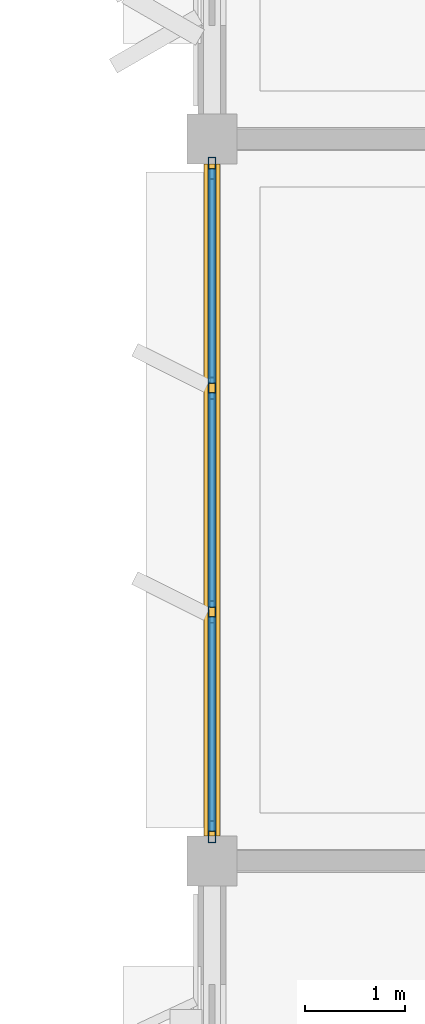
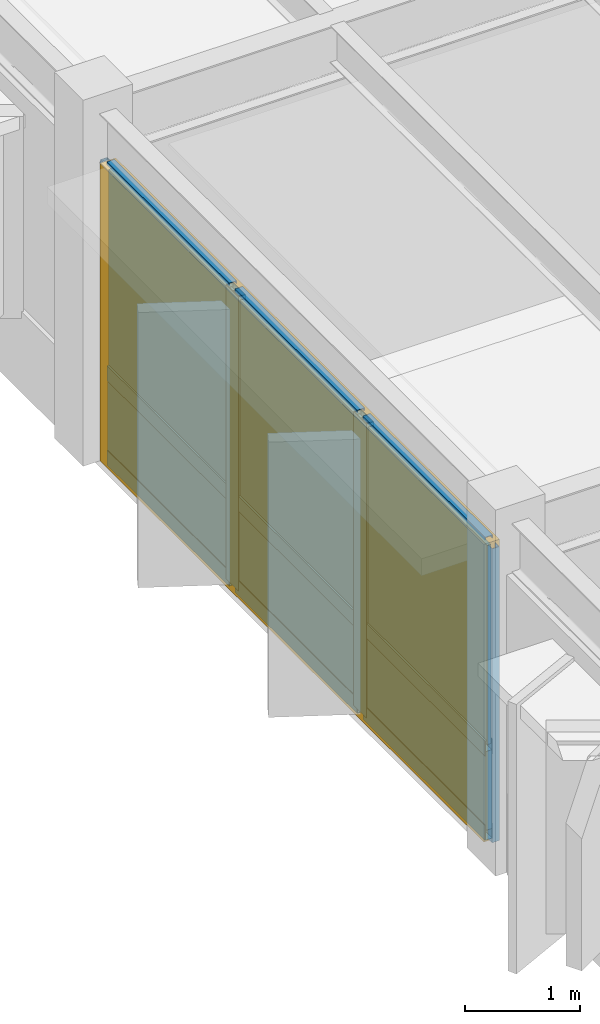
# One storey, part 22 of 35: 13 members, 6 plates, 1 curtain wall.
"""IFC4 building model written with IfcOpenShell, lengths in metres."""

from ifc_helpers import new_model, si_unit, direction, frame, origin, origin_2d, place, context, subcontext, project, spatial, rectangle, hollow_rectangle, extrude, material, layer, layer_set, material_profile, profile_set, type_object, element, aggregate, save


model = new_model("IFC4")

# Units and contexts
model_context = context("Model", 3, precision=1e-05, world=origin(), true_north=direction((0.0, 1.0)))
body_context = subcontext(model_context, "Body", "Model", "MODEL_VIEW")
ifc_project = project(units=[si_unit("LENGTHUNIT", "METRE"), si_unit("AREAUNIT", "SQUARE_METRE"), si_unit("VOLUMEUNIT", "CUBIC_METRE"), si_unit("PLANEANGLEUNIT", "RADIAN"), si_unit("MASSUNIT", "GRAM", prefix="KILO")], contexts=[model_context])

# Member
ifc_material_1 = material(Name="Anodized Aluminium 6063-T6", Category="aluminium")
ifc_material_profile_1 = material_profile(ifc_material_1, hollow_rectangle(XDim=0.074951171875, YDim=0.219970703125, WallThickness=0.0048828125, at=origin_2d()), Name="ALU 75x220x5")
ifc_profile_set_1 = profile_set([ifc_material_profile_1], Name="Anodized Aluminium 6063-T6")
member_type_1 = type_object("IfcMemberType", Name="CWM-75X180", PredefinedType="MULLION", material=ifc_profile_set_1)
site_placement = place(None, origin())
building_placement = place(site_placement, origin())
storey_placement = place(building_placement, frame((0.0, 0.0, 18.0)))
member_1_placement = place(storey_placement, frame((43.199951171875, 101.090087890625, 0.02001953125), z_axis=(0.0, 0.0, 1.0), x_axis=(1.0, 0.0, 0.0)))
member_1 = element("IfcMember", 1, at=member_1_placement, type_object=member_type_1, Name="Curtain wall mullion CW-L05-06-14-W-00", PredefinedType="MULLION", context=body_context, shape_type="SweptSolid", body=[
    extrude(hollow_rectangle(XDim=0.074951171875, YDim=0.219970703125, WallThickness=0.0048828125, at=origin_2d()), origin(), (0.0, 0.0, 1.0), 3.132080078125),
])

member_2_placement = place(storey_placement, frame((43.199951171875, 103.283203125, 0.02001953125), z_axis=(0.0, 0.0, 1.0), x_axis=(1.0, 0.0, 0.0)))
member_2 = element("IfcMember", 2, at=member_2_placement, type_object=member_type_1, Name="Curtain wall mullion CW-L05-06-14-W-01", PredefinedType="MULLION", context=body_context, shape_type="SweptSolid", body=[
    extrude(hollow_rectangle(XDim=0.074951171875, YDim=0.219970703125, WallThickness=0.0048828125, at=origin_2d()), origin(), (0.0, 0.0, 1.0), 3.132080078125),
])

member_3_placement = place(storey_placement, frame((43.199951171875, 105.5166015625, 0.02001953125), z_axis=(0.0, 0.0, 1.0), x_axis=(1.0, 0.0, 0.0)))
member_3 = element("IfcMember", 3, at=member_3_placement, type_object=member_type_1, Name="Curtain wall mullion CW-L05-06-14-W-02", PredefinedType="MULLION", context=body_context, shape_type="SweptSolid", body=[
    extrude(hollow_rectangle(XDim=0.074951171875, YDim=0.219970703125, WallThickness=0.0048828125, at=origin_2d()), origin(), (0.0, 0.0, 1.0), 3.132080078125),
])

member_4_placement = place(storey_placement, frame((43.199951171875, 107.7099609375, 0.02001953125), z_axis=(0.0, 0.0, 1.0), x_axis=(1.0, 0.0, 0.0)))
member_4 = element("IfcMember", 4, at=member_4_placement, type_object=member_type_1, Name="Curtain wall mullion CW-L05-06-14-W-03", PredefinedType="MULLION", context=body_context, shape_type="SweptSolid", body=[
    extrude(hollow_rectangle(XDim=0.074951171875, YDim=0.219970703125, WallThickness=0.0048828125, at=origin_2d()), origin(), (0.0, 0.0, 1.0), 3.132080078125),
])

ifc_material_profile_2 = material_profile(ifc_material_1, hollow_rectangle(XDim=0.074951171875, YDim=0.159912109375, WallThickness=0.00390625, at=origin_2d()), Name="ALU 75x160x4")
ifc_profile_set_2 = profile_set([ifc_material_profile_2], Name="Anodized Aluminium 6063-T6")
member_type_2 = type_object("IfcMemberType", Name="CWT-75X150", PredefinedType="USERDEFINED", material=ifc_profile_set_2)
member_5_placement = place(storey_placement, frame((43.199951171875, 101.10009765625, 0.050048828125), z_axis=(0.0, 1.0, 0.0), x_axis=(-1.0, 0.0, 0.0)))
member_5 = element("IfcMember", 5, at=member_5_placement, type_object=member_type_2, Name="Curtain wall transom CW-L05-06-14-W-1.01", ObjectType="TRANSOM", PredefinedType="USERDEFINED", context=body_context, shape_type="SweptSolid", body=[
    extrude(hollow_rectangle(XDim=0.074951171875, YDim=0.159912109375, WallThickness=0.00390625, at=origin_2d()), origin(), (0.0, 0.0, 1.0), 2.13330078125),
])

member_6_placement = place(storey_placement, frame((43.199951171875, 103.333251953125, 0.050048828125), z_axis=(0.0, 1.0, 0.0), x_axis=(-1.0, 0.0, 0.0)))
member_6 = element("IfcMember", 6, at=member_6_placement, type_object=member_type_2, Name="Curtain wall transom CW-L05-06-14-W-1.02", ObjectType="TRANSOM", PredefinedType="USERDEFINED", context=body_context, shape_type="SweptSolid", body=[
    extrude(hollow_rectangle(XDim=0.074951171875, YDim=0.159912109375, WallThickness=0.00390625, at=origin_2d()), origin(), (0.0, 0.0, 1.0), 2.133544921875),
])

member_7_placement = place(storey_placement, frame((43.199951171875, 105.566650390625, 0.050048828125), z_axis=(0.0, 1.0, 0.0), x_axis=(-1.0, 0.0, 0.0)))
member_7 = element("IfcMember", 7, at=member_7_placement, type_object=member_type_2, Name="Curtain wall transom CW-L05-06-14-W-1.03", ObjectType="TRANSOM", PredefinedType="USERDEFINED", context=body_context, shape_type="SweptSolid", body=[
    extrude(hollow_rectangle(XDim=0.074951171875, YDim=0.159912109375, WallThickness=0.00390625, at=origin_2d()), origin(), (0.0, 0.0, 1.0), 2.13330078125),
])

member_8_placement = place(storey_placement, frame((43.199951171875, 101.10009765625, 0.949951171875), z_axis=(0.0, 1.0, 0.0), x_axis=(-1.0, 0.0, 0.0)))
member_8 = element("IfcMember", 8, at=member_8_placement, type_object=member_type_2, Name="Curtain wall transom CW-L05-06-14-W-2.01", ObjectType="TRANSOM", PredefinedType="USERDEFINED", context=body_context, shape_type="SweptSolid", body=[
    extrude(hollow_rectangle(XDim=0.074951171875, YDim=0.159912109375, WallThickness=0.00390625, at=origin_2d()), origin(), (0.0, 0.0, 1.0), 2.13330078125),
])

member_9_placement = place(storey_placement, frame((43.199951171875, 103.333251953125, 0.949951171875), z_axis=(0.0, 1.0, 0.0), x_axis=(-1.0, 0.0, 0.0)))
member_9 = element("IfcMember", 9, at=member_9_placement, type_object=member_type_2, Name="Curtain wall transom CW-L05-06-14-W-2.02", ObjectType="TRANSOM", PredefinedType="USERDEFINED", context=body_context, shape_type="SweptSolid", body=[
    extrude(hollow_rectangle(XDim=0.074951171875, YDim=0.159912109375, WallThickness=0.00390625, at=origin_2d()), origin(), (0.0, 0.0, 1.0), 2.133544921875),
])

member_10_placement = place(storey_placement, frame((43.199951171875, 105.566650390625, 0.949951171875), z_axis=(0.0, 1.0, 0.0), x_axis=(-1.0, 0.0, 0.0)))
member_10 = element("IfcMember", 10, at=member_10_placement, type_object=member_type_2, Name="Curtain wall transom CW-L05-06-14-W-2.03", ObjectType="TRANSOM", PredefinedType="USERDEFINED", context=body_context, shape_type="SweptSolid", body=[
    extrude(hollow_rectangle(XDim=0.074951171875, YDim=0.159912109375, WallThickness=0.00390625, at=origin_2d()), origin(), (0.0, 0.0, 1.0), 2.13330078125),
])

member_11_placement = place(storey_placement, frame((43.199951171875, 101.10009765625, 3.1220703125), z_axis=(0.0, 1.0, 0.0), x_axis=(-1.0, 0.0, 0.0)))
member_11 = element("IfcMember", 11, at=member_11_placement, type_object=member_type_2, Name="Curtain wall transom CW-L05-06-14-W-3.01", ObjectType="TRANSOM", PredefinedType="USERDEFINED", context=body_context, shape_type="SweptSolid", body=[
    extrude(hollow_rectangle(XDim=0.074951171875, YDim=0.159912109375, WallThickness=0.00390625, at=origin_2d()), origin(), (0.0, 0.0, 1.0), 2.13330078125),
])

member_12_placement = place(storey_placement, frame((43.199951171875, 103.333251953125, 3.1220703125), z_axis=(0.0, 1.0, 0.0), x_axis=(-1.0, 0.0, 0.0)))
member_12 = element("IfcMember", 12, at=member_12_placement, type_object=member_type_2, Name="Curtain wall transom CW-L05-06-14-W-3.02", ObjectType="TRANSOM", PredefinedType="USERDEFINED", context=body_context, shape_type="SweptSolid", body=[
    extrude(hollow_rectangle(XDim=0.074951171875, YDim=0.159912109375, WallThickness=0.00390625, at=origin_2d()), origin(), (0.0, 0.0, 1.0), 2.133544921875),
])

member_13_placement = place(storey_placement, frame((43.199951171875, 105.566650390625, 3.1220703125), z_axis=(0.0, 1.0, 0.0), x_axis=(-1.0, 0.0, 0.0)))
member_13 = element("IfcMember", 13, at=member_13_placement, type_object=member_type_2, Name="Curtain wall transom CW-L05-06-14-W-3.03", ObjectType="TRANSOM", PredefinedType="USERDEFINED", context=body_context, shape_type="SweptSolid", body=[
    extrude(hollow_rectangle(XDim=0.074951171875, YDim=0.159912109375, WallThickness=0.00390625, at=origin_2d()), origin(), (0.0, 0.0, 1.0), 2.13330078125),
])

# Plate
ifc_material_2 = material(Name="Acoustic Laminated Low-E Glazing", Category="glass")
ifc_layer_1 = layer(ifc_material_2, 0.0439453125)
ifc_layer_set_1 = layer_set([ifc_layer_1], Name="Acoustic Laminated Low-E Glazing")
plate_type_1 = type_object("IfcPlateType", Name="CWP-IGU-44", PredefinedType="CURTAIN_PANEL", material=ifc_layer_set_1)
plate_1_placement = place(storey_placement, frame((43.199951171875, 102.166748046875, 0.989990234375), z_axis=(0.0, 0.0, 1.0), x_axis=(0.0, 1.0, 0.0)))
plate_1 = element("IfcPlate", 14, at=plate_1_placement, type_object=plate_type_1, Name="Curtain wall vision glazing CW-L05-06-14-W-01", PredefinedType="CURTAIN_PANEL", context=body_context, shape_type="SweptSolid", body=[
    extrude(rectangle(XDim=2.143310546875, YDim=0.0400390625, at=origin_2d()), origin(), (0.0, 0.0, 1.0), 2.1220703125),
])

plate_2_placement = place(storey_placement, frame((43.199951171875, 104.39990234375, 0.989990234375), z_axis=(0.0, 0.0, 1.0), x_axis=(0.0, 1.0, 0.0)))
plate_2 = element("IfcPlate", 15, at=plate_2_placement, type_object=plate_type_1, Name="Curtain wall vision glazing CW-L05-06-14-W-02", PredefinedType="CURTAIN_PANEL", context=body_context, shape_type="SweptSolid", body=[
    extrude(rectangle(XDim=2.143310546875, YDim=0.0400390625, at=origin_2d()), origin(), (0.0, 0.0, 1.0), 2.1220703125),
])

plate_3_placement = place(storey_placement, frame((43.199951171875, 106.63330078125, 0.989990234375), z_axis=(0.0, 0.0, 1.0), x_axis=(0.0, 1.0, 0.0)))
plate_3 = element("IfcPlate", 16, at=plate_3_placement, type_object=plate_type_1, Name="Curtain wall vision glazing CW-L05-06-14-W-03", PredefinedType="CURTAIN_PANEL", context=body_context, shape_type="SweptSolid", body=[
    extrude(rectangle(XDim=2.143310546875, YDim=0.0400390625, at=origin_2d()), origin(), (0.0, 0.0, 1.0), 2.1220703125),
])

ifc_material_3 = material(Name="Insulated Stone-Composite Spandrel", Category="masonry")
ifc_layer_2 = layer(ifc_material_3, 0.068115234375)
ifc_layer_set_2 = layer_set([ifc_layer_2], Name="Insulated Stone-Composite Spandrel")
plate_type_2 = type_object("IfcPlateType", Name="CWP-SPN-68", PredefinedType="CURTAIN_PANEL", material=ifc_layer_set_2)
plate_4_placement = place(storey_placement, frame((43.199951171875, 102.166748046875, 0.080078125), z_axis=(0.0, 0.0, 1.0), x_axis=(0.0, 1.0, 0.0)))
plate_4 = element("IfcPlate", 17, at=plate_4_placement, type_object=plate_type_2, Name="Curtain wall spandrel panel CW-L05-06-14-W-01", PredefinedType="CURTAIN_PANEL", context=body_context, shape_type="SweptSolid", body=[
    extrude(rectangle(XDim=2.143310546875, YDim=0.06005859375, at=origin_2d()), origin(), (0.0, 0.0, 1.0), 0.840087890625),
])

plate_5_placement = place(storey_placement, frame((43.199951171875, 104.39990234375, 0.080078125), z_axis=(0.0, 0.0, 1.0), x_axis=(0.0, 1.0, 0.0)))
plate_5 = element("IfcPlate", 18, at=plate_5_placement, type_object=plate_type_2, Name="Curtain wall spandrel panel CW-L05-06-14-W-02", PredefinedType="CURTAIN_PANEL", context=body_context, shape_type="SweptSolid", body=[
    extrude(rectangle(XDim=2.143310546875, YDim=0.06005859375, at=origin_2d()), origin(), (0.0, 0.0, 1.0), 0.840087890625),
])

plate_6_placement = place(storey_placement, frame((43.199951171875, 106.63330078125, 0.080078125), z_axis=(0.0, 0.0, 1.0), x_axis=(0.0, 1.0, 0.0)))
plate_6 = element("IfcPlate", 19, at=plate_6_placement, type_object=plate_type_2, Name="Curtain wall spandrel panel CW-L05-06-14-W-03", PredefinedType="CURTAIN_PANEL", context=body_context, shape_type="SweptSolid", body=[
    extrude(rectangle(XDim=2.143310546875, YDim=0.06005859375, at=origin_2d()), origin(), (0.0, 0.0, 1.0), 0.840087890625),
])

# Site, building, storey
site = spatial("IfcSite", under=ifc_project, at=site_placement, CompositionType="ELEMENT")
building = spatial("IfcBuilding", under=site, at=building_placement, Name="Sillqori Civic Hall", CompositionType="ELEMENT")
storey = spatial("IfcBuildingStorey", under=building, at=storey_placement, Name="L05", CompositionType="ELEMENT", Elevation=18.0)

# Curtain wall
ifc_material_4 = material(Name="Anodized Aluminium Curtain Wall System", Category="aluminium")
curtain_wall_type = type_object("IfcCurtainWallType", Name="CW-AD-370", PredefinedType="NOTDEFINED", material=ifc_material_4)
curtain_wall_placement = place(storey_placement, frame((43.199951171875, 104.39990234375, 0.0), z_axis=(0.0, 0.0, 1.0), x_axis=(0.0, 1.0, 0.0)))
curtain_wall = element("IfcCurtainWall", 20, at=curtain_wall_placement, inside=storey, type_object=curtain_wall_type, Name="L05 unitised curtain wall CW-L05-06-14-W", PredefinedType="NOTDEFINED", context=body_context, shape_type="SweptSolid", body=[
    extrude(rectangle(XDim=6.699951171875, YDim=0.159912109375, at=origin_2d()), origin(), (0.0, 0.0, 1.0), 3.172119140625),
])

aggregate(curtain_wall, [member_1, member_2, member_3, member_4, member_5, member_6, member_7, member_8, member_9, member_10, member_11, member_12, member_13, plate_4, plate_1, plate_5, plate_2, plate_6, plate_3])

save(model, "model.ifc")
